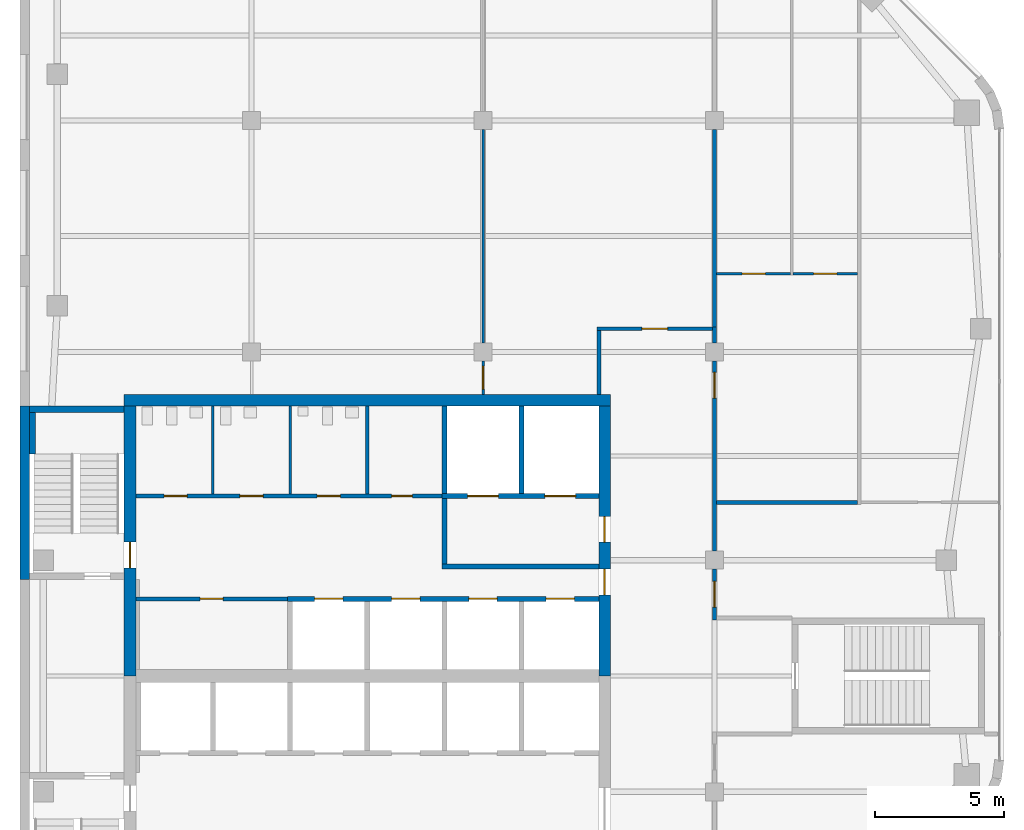
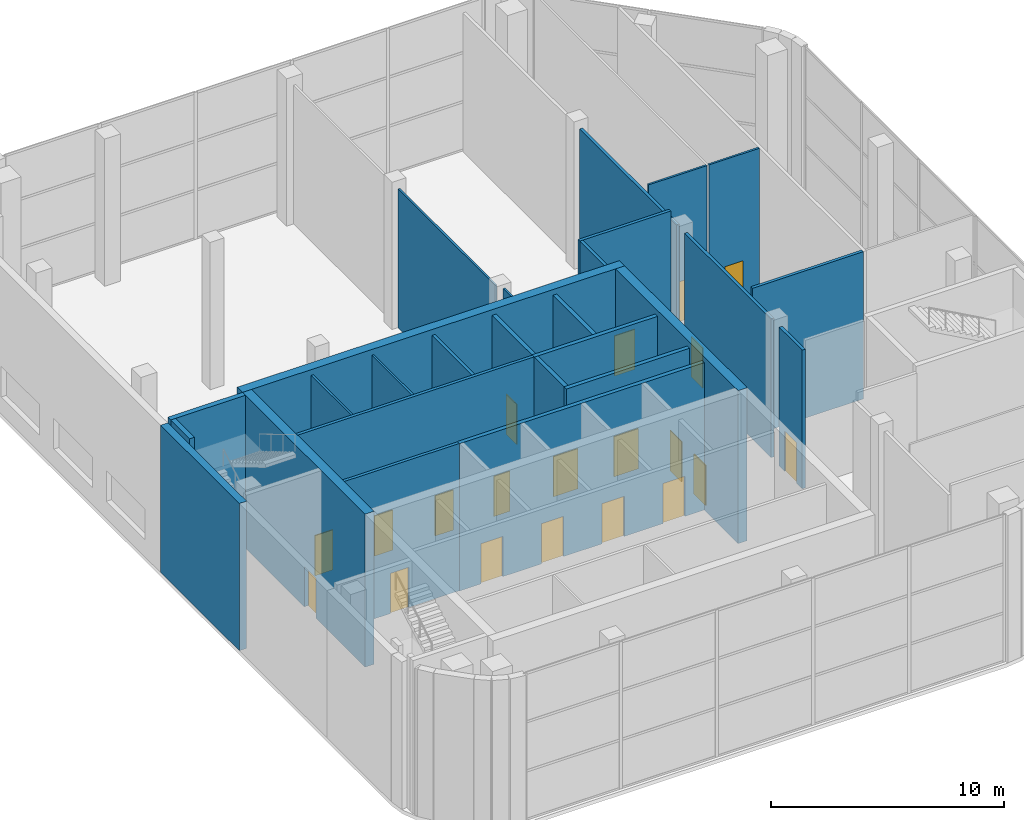
# One storey, part 9 of 12: 28 walls, 20 doors, 20 openings.
"""IFC4 building model written with IfcOpenShell, lengths in metres."""

import ifcopenshell
import ifcopenshell.guid

model = None  # the IFC model being written
_history = None  # IfcOwnerHistory: only IFC2X3 demands one
_inside = {}  # id of a spatial element -> (the spatial element, [elements in it])
_under = {}  # id of a project, library or spatial element -> (it, [spatial elements below it])
_declared = {}  # id of a project -> (the project, [libraries it declares])
_typed = {}  # id of a type object -> (the type object, [elements of that type])
_made_of = {}  # id of a material, layer set ... -> (it, [elements and type objects made of it])


def new_model(schema):
    """Start an empty IFC model of exactly this schema.

    Asked for "IFC4X3", IfcOpenShell would pick the latest addendum, in which some entities
    have other attributes; the version numbers below select the first issue.
    IFC2X3 requires an IfcOwnerHistory on every rooted entity: one is made here for all.
    """
    global model, _history
    if schema == "IFC4X3":
        model = ifcopenshell.file(schema_version=(4, 3, 0, 0))
    else:
        model = ifcopenshell.file(schema=schema)
    _inside.clear()
    _under.clear()
    _declared.clear()
    _typed.clear()
    _made_of.clear()
    _history = None
    if model.schema == "IFC2X3":
        org = make("IfcOrganization", Name="unknown")
        user = make(
            "IfcPersonAndOrganization",
            ThePerson=make("IfcPerson", FamilyName="unknown"),
            TheOrganization=org,
        )
        app = make(
            "IfcApplication",
            ApplicationDeveloper=org,
            Version="unknown",
            ApplicationFullName="unknown",
            ApplicationIdentifier="unknown",
        )
        _history = make(
            "IfcOwnerHistory",
            OwningUser=user,
            OwningApplication=app,
            ChangeAction="ADDED",
            CreationDate=0,
        )
    return model


def make(cls, **values):
    """One entity of the class cls with the attributes given. An attribute that is None is left unset."""
    return model.create_entity(
        cls, **{name: value for name, value in values.items() if value is not None}
    )


def rooted(cls, **values):
    """An entity with a GlobalId (a new one), such as an element, a storey or a relation."""
    return make(cls, GlobalId=ifcopenshell.guid.new(), OwnerHistory=_history, **values)


def si_unit(unit_type, name, prefix=None):
    """IfcSIUnit, for example si_unit("LENGTHUNIT", "METRE", prefix="MILLI")."""
    return make("IfcSIUnit", UnitType=unit_type, Prefix=prefix, Name=name)


def assignment(units):
    """IfcUnitAssignment: the units of a project."""
    return None if units is None else make("IfcUnitAssignment", Units=units)


def point(xyz):
    """IfcCartesianPoint."""
    return None if xyz is None else make("IfcCartesianPoint", Coordinates=xyz)


def direction(xyz):
    """IfcDirection."""
    return None if xyz is None else make("IfcDirection", DirectionRatios=xyz)


def frame(location, z_axis=None, x_axis=None):
    """IfcAxis2Placement3D, a coordinate frame: its origin and axes. An axis left out is left unset."""
    return make(
        "IfcAxis2Placement3D",
        Location=point(location),
        Axis=direction(z_axis),
        RefDirection=direction(x_axis),
    )


def frame_2d(location, x_axis=None):
    """IfcAxis2Placement2D, a coordinate frame in the plane: its origin and x axis."""
    return make(
        "IfcAxis2Placement2D", Location=point(location), RefDirection=direction(x_axis)
    )


def origin():
    """The frame at (0, 0, 0) with its axes left unset."""
    return frame((0.0, 0.0, 0.0))


def place(relative_to, where):
    """IfcLocalPlacement: puts the frame where relative to a parent placement (None: the world)."""
    return make(
        "IfcLocalPlacement", PlacementRelTo=relative_to, RelativePlacement=where
    )


def context(
    kind, dimensions, precision=None, world=None, true_north=None, identifier=None
):
    """IfcGeometricRepresentationContext, for example the 3D "Model" context."""
    return make(
        "IfcGeometricRepresentationContext",
        ContextIdentifier=identifier,
        ContextType=kind,
        CoordinateSpaceDimension=dimensions,
        Precision=precision,
        WorldCoordinateSystem=world,
        TrueNorth=true_north,
    )


def subcontext(parent, identifier, kind, view, scale=None):
    """IfcGeometricRepresentationSubContext, for example "Body" below "Model"."""
    return make(
        "IfcGeometricRepresentationSubContext",
        ContextIdentifier=identifier,
        ContextType=kind,
        ParentContext=parent,
        TargetScale=scale,
        TargetView=view,
    )


def project(units=None, contexts=None):
    """IfcProject with its units and contexts."""
    return rooted(
        "IfcProject",
        Name="project",
        RepresentationContexts=contexts,
        UnitsInContext=assignment(units),
    )


def spatial(cls, under=None, at=None, **own):
    """A site, building, storey or space (cls), placed at a placement, below another one or the project."""
    s = rooted(cls, ObjectPlacement=at, **own)
    if under is not None:
        _under.setdefault(under.id(), (under, []))[1].append(s)
    return s


def profile(cls, at=None, kind="AREA", **sizes):
    """A parametric profile (cls). Its sizes go by their IFC names, for example OverallWidth=200.0."""
    return make(cls, ProfileType=kind, Position=at, **sizes)


def rectangle(**sizes):
    """IfcRectangleProfileDef."""
    return profile("IfcRectangleProfileDef", **sizes)


def extrude(swept, where, along, depth):
    """IfcExtrudedAreaSolid: the profile swept, set in the frame where, extruded along a direction by depth."""
    return make(
        "IfcExtrudedAreaSolid",
        SweptArea=swept,
        Position=where,
        ExtrudedDirection=direction(along),
        Depth=depth,
    )


def shape(context_of_items, identifier, shape_type, items):
    """IfcShapeRepresentation: the items that make up one representation, for example the "Body"."""
    return make(
        "IfcShapeRepresentation",
        ContextOfItems=context_of_items,
        RepresentationIdentifier=identifier,
        RepresentationType=shape_type,
        Items=items,
    )


def material(Name=None, Category=None):
    """IfcMaterial."""
    return make("IfcMaterial", Name=Name, Category=Category)


def layer(
    of_material, thickness, ventilated=None, Name=None, Category=None, Priority=None
):
    """IfcMaterialLayer: one layer of a wall or slab, of a material (None: an air gap)."""
    return make(
        "IfcMaterialLayer",
        Material=of_material,
        LayerThickness=thickness,
        IsVentilated=ventilated,
        Name=Name,
        Category=Category,
        Priority=Priority,
    )


def layer_set(layers, Name=None):
    """IfcMaterialLayerSet."""
    return make("IfcMaterialLayerSet", MaterialLayers=layers, LayerSetName=Name)


def made_of(thing, what):
    """Note that an element or type object is made of a material, layer set ...; save() writes the relation."""
    if what is not None:
        _made_of.setdefault(what.id(), (what, []))[1].append(thing)
    return thing


def type_object(cls, material=None, **own):
    """A type object (cls), such as IfcWallType, which elements share."""
    return made_of(rooted(cls, **own), material)


def element(
    cls,
    number,
    at=None,
    inside=None,
    cuts=None,
    type_object=None,
    material=None,
    context=None,
    identifier="Body",
    shape_type=None,
    held_by="IfcProductDefinitionShape",
    body=None,
    shapes=None,
    **own,
):
    """One element of the class cls, such as IfcWall. Its Tag is "e" and its number.

    at: its placement. inside: the storey or other place that contains it. cuts: it is an
    opening in that element (IfcRelVoidsElement). A single representation is given by context,
    identifier, shape_type and body (its items); several are given by shapes. held_by: the class
    of the entity that holds the representations. save() writes the other relations.
    """
    e = rooted(cls, Tag="e%d" % number, ObjectPlacement=at, **own)
    if body is not None:
        shapes = [shape(context, identifier, shape_type, body)]
    if shapes is not None:
        e.Representation = make(held_by, Representations=shapes)
    if inside is not None:
        _inside.setdefault(inside.id(), (inside, []))[1].append(e)
    if cuts is not None:
        rooted(
            "IfcRelVoidsElement", RelatingBuildingElement=cuts, RelatedOpeningElement=e
        )
    if type_object is not None:
        _typed.setdefault(type_object.id(), (type_object, []))[1].append(e)
    return made_of(e, material)


def fill(opening, filler):
    """IfcRelFillsElement: the door or window that sits in an opening."""
    return rooted(
        "IfcRelFillsElement",
        RelatingOpeningElement=opening,
        RelatedBuildingElement=filler,
    )


def aggregate(whole, parts):
    """IfcRelAggregates: a whole, such as a stair, and the parts it consists of."""
    return rooted("IfcRelAggregates", RelatingObject=whole, RelatedObjects=parts)


def save(model, path):
    """Write the relations noted so far, then the file.

    IfcRelAggregates (storeys below a building ...), IfcRelContainedInSpatialStructure (elements
    in a storey), IfcRelDefinesByType, IfcRelAssociatesMaterial and IfcRelDeclares: one each for
    every whole, place, type object, material and project.
    """
    for whole, parts in _under.values():
        aggregate(whole, parts)
    for where, things in _inside.values():
        rooted(
            "IfcRelContainedInSpatialStructure",
            RelatedElements=things,
            RelatingStructure=where,
        )
    for kind, things in _typed.values():
        rooted("IfcRelDefinesByType", RelatedObjects=things, RelatingType=kind)
    for what, things in _made_of.values():
        rooted("IfcRelAssociatesMaterial", RelatedObjects=things, RelatingMaterial=what)
    for by, libraries in _declared.values():
        rooted("IfcRelDeclares", RelatingContext=by, RelatedDefinitions=libraries)
    model.write(path)


model = new_model("IFC4")

# Units and contexts
model_context = context("Model", 3, precision=1e-05, world=origin(), true_north=direction((0.0, 1.0)))
body_context = subcontext(model_context, "Body", "Model", "MODEL_VIEW")
ifc_project = project(units=[si_unit("LENGTHUNIT", "METRE"), si_unit("AREAUNIT", "SQUARE_METRE"), si_unit("VOLUMEUNIT", "CUBIC_METRE"), si_unit("PLANEANGLEUNIT", "RADIAN"), si_unit("MASSUNIT", "GRAM", prefix="KILO")], contexts=[model_context])

# Site, building, storey
site_placement = place(None, origin())
site = spatial("IfcSite", under=ifc_project, at=site_placement, CompositionType="ELEMENT")
building_placement = place(site_placement, origin())
building = spatial("IfcBuilding", under=site, at=building_placement, Name="Cinnabar Reach Civic Tower", CompositionType="ELEMENT")
storey_placement = place(building_placement, frame((0.0, 0.0, 283.0)))
storey = spatial("IfcBuildingStorey", under=building, at=storey_placement, Name="L68", CompositionType="ELEMENT", Elevation=283.0)

# Walls
ifc_material_1 = material(Name="Facing brick with insulated backing", Category="masonry")
ifc_layer_1 = layer(ifc_material_1, 0.36)
ifc_layer_set_1 = layer_set([ifc_layer_1], Name="Brick pier and spandrel wall")
wall_type_1 = type_object("IfcWallType", Name="Brick pier and spandrel wall", PredefinedType="STANDARD", material=ifc_layer_set_1)
wall_1_placement = place(storey_placement, frame((0.18, 42.0, 0.0), z_axis=(0.0, 0.0, 1.0), x_axis=(0.0, -1.0, 0.0)))
element("IfcWall", 1, at=wall_1_placement, inside=storey, type_object=wall_type_1, Name="Brick facade wall", PredefinedType="STANDARD", context=body_context, shape_type="SweptSolid", body=[
    extrude(rectangle(XDim=6.75, YDim=0.36, at=frame_2d((3.375, 0.0))), origin(), (0.0, 0.0, 1.0), 7.7),
])
ifc_material_2 = material(Name="Concrete C60", Category="concrete")
ifc_layer_2 = layer(ifc_material_2, 0.45)
ifc_layer_set_2 = layer_set([ifc_layer_2], Name="Core wall 450 EI 180")
wall_type_2 = type_object("IfcWallType", Name="Core wall 450 EI 180", PredefinedType="SOLIDWALL", material=ifc_layer_set_2)
wall_2_placement = place(storey_placement, frame((22.95, 42.225, 0.0), z_axis=(0.0, 0.0, 1.0), x_axis=(-1.0, 0.0, 0.0)))
element("IfcWall", 2, at=wall_2_placement, inside=storey, type_object=wall_type_2, Name="Core wall T1 L68 N", PredefinedType="SOLIDWALL", context=body_context, shape_type="SweptSolid", body=[
    extrude(rectangle(XDim=18.9, YDim=0.45, at=frame_2d((9.45, 0.0))), origin(), (0.0, 0.0, 1.0), 8.0),
])

# Wall, openings, doors
wall_3_placement = place(storey_placement, frame((22.725, 31.5, 0.0), z_axis=(0.0, 0.0, 1.0), x_axis=(0.0, 1.0, 0.0)))
wall_3 = element("IfcWall", 3, at=wall_3_placement, inside=storey, type_object=wall_type_2, Name="Core wall T1 L68 E2", PredefinedType="SOLIDWALL", context=body_context, shape_type="SweptSolid", body=[
    extrude(rectangle(XDim=10.5, YDim=0.45, at=frame_2d((5.25, 0.0))), origin(), (0.0, 0.0, 1.0), 8.0),
])
opening_1_placement = place(wall_3_placement, frame((3.15, 0.0, 0.0)))
opening_1 = element("IfcOpeningElement", 4, at=opening_1_placement, cuts=wall_3, Name="Opening D5711", PredefinedType="OPENING", context=body_context, shape_type="SweptSolid", body=[
    extrude(rectangle(XDim=1.0, YDim=2.1, at=frame_2d((0.5, 1.05))), frame((0.0, 0.235, 0.0), z_axis=(0.0, -1.0, 0.0), x_axis=(1.0, 0.0, 0.0)), (0.0, 0.0, 1.0), 0.47),
])
opening_2_placement = place(wall_3_placement, frame((5.2, 0.0, 0.0)))
opening_2 = element("IfcOpeningElement", 5, at=opening_2_placement, cuts=wall_3, Name="Opening D5712", PredefinedType="OPENING", context=body_context, shape_type="SweptSolid", body=[
    extrude(rectangle(XDim=1.0, YDim=2.1, at=frame_2d((0.5, 1.05))), frame((0.0, 0.235, 0.0), z_axis=(0.0, -1.0, 0.0), x_axis=(1.0, 0.0, 0.0)), (0.0, 0.0, 1.0), 0.47),
])
ifc_material_3 = material(Name="Timber door leaf in steel frame", Category="steel")
door_type_1 = type_object("IfcDoorType", Name="Firefighting lobby door 1000 x 2100 T1", OperationType="SINGLE_SWING_LEFT", PredefinedType="DOOR", material=ifc_material_3)
door_1_placement = place(opening_2_placement, origin())
door_1 = element("IfcDoor", 6, at=door_1_placement, inside=storey, type_object=door_type_1, Name="Door D5712", OperationType="SINGLE_SWING_RIGHT", OverallHeight=2.1, OverallWidth=1.0, PredefinedType="DOOR", context=body_context, shape_type="SweptSolid", body=[
    extrude(rectangle(XDim=1.0, YDim=2.1, at=frame_2d((0.5, 1.05))), frame((0.0, 0.025, 0.0), z_axis=(0.0, -1.0, 0.0), x_axis=(1.0, 0.0, 0.0)), (0.0, 0.0, 1.0), 0.05),
])
fill(opening_2, door_1)
door_type_2 = type_object("IfcDoorType", Name="Single swing door 1000 x 2100 T1", OperationType="SINGLE_SWING_LEFT", PredefinedType="DOOR", material=ifc_material_3)
door_2_placement = place(opening_1_placement, origin())
door_2 = element("IfcDoor", 7, at=door_2_placement, inside=storey, type_object=door_type_2, Name="Door D5711", OperationType="SINGLE_SWING_RIGHT", OverallHeight=2.1, OverallWidth=1.0, PredefinedType="DOOR", context=body_context, shape_type="SweptSolid", body=[
    extrude(rectangle(XDim=1.0, YDim=2.1, at=frame_2d((0.5, 1.05))), frame((0.0, 0.025, 0.0), z_axis=(0.0, -1.0, 0.0), x_axis=(1.0, 0.0, 0.0)), (0.0, 0.0, 1.0), 0.05),
])
fill(opening_1, door_2)

# Wall, opening, door
wall_4_placement = place(storey_placement, frame((4.275, 42.0, 0.0), z_axis=(0.0, 0.0, 1.0), x_axis=(0.0, -1.0, 0.0)))
wall_4 = element("IfcWall", 8, at=wall_4_placement, inside=storey, type_object=wall_type_2, Name="Core wall T1 L68 W", PredefinedType="SOLIDWALL", context=body_context, shape_type="SweptSolid", body=[
    extrude(rectangle(XDim=10.5, YDim=0.45, at=frame_2d((5.25, 0.0))), origin(), (0.0, 0.0, 1.0), 8.0),
])
opening_3_placement = place(wall_4_placement, frame((5.3, 0.0, 0.0)))
opening_3 = element("IfcOpeningElement", 9, at=opening_3_placement, cuts=wall_4, Name="Opening D5696", PredefinedType="OPENING", context=body_context, shape_type="SweptSolid", body=[
    extrude(rectangle(XDim=1.0, YDim=2.1, at=frame_2d((0.5, 1.05))), frame((0.0, 0.235, 0.0), z_axis=(0.0, -1.0, 0.0), x_axis=(1.0, 0.0, 0.0)), (0.0, 0.0, 1.0), 0.47),
])
door_type_3 = type_object("IfcDoorType", Name="Stair door 1000 x 2100 T1", OperationType="SINGLE_SWING_LEFT", PredefinedType="DOOR", material=ifc_material_3)
door_3_placement = place(opening_3_placement, frame((1.0, 0.0, 0.0), z_axis=(0.0, 0.0, 1.0), x_axis=(-1.0, 0.0, 0.0)))
door_3 = element("IfcDoor", 10, at=door_3_placement, inside=storey, type_object=door_type_3, Name="Door D5696", OperationType="SINGLE_SWING_LEFT", OverallHeight=2.1, OverallWidth=1.0, PredefinedType="DOOR", context=body_context, shape_type="SweptSolid", body=[
    extrude(rectangle(XDim=1.0, YDim=2.1, at=frame_2d((0.5, 1.05))), frame((0.0, 0.025, 0.0), z_axis=(0.0, -1.0, 0.0), x_axis=(1.0, 0.0, 0.0)), (0.0, 0.0, 1.0), 0.05),
])
fill(opening_3, door_3)

# Wall, openings, doors
ifc_material_4 = material(Name="Gypsum board on steel studs, double layer", Category="steel")
ifc_layer_3 = layer(ifc_material_4, 0.15)
ifc_layer_set_3 = layer_set([ifc_layer_3], Name="Corridor wall 150 T1")
wall_type_3 = type_object("IfcWallType", Name="Corridor wall 150 T1", PredefinedType="PARTITIONING", material=ifc_layer_set_3)
wall_5_placement = place(storey_placement, frame((4.5, 38.5, 0.0), z_axis=(0.0, 0.0, 1.0), x_axis=(1.0, 0.0, 0.0)))
wall_5 = element("IfcWall", 11, at=wall_5_placement, inside=storey, type_object=wall_type_3, Name="Corridor wall 19", PredefinedType="PARTITIONING", context=body_context, shape_type="SweptSolid", body=[
    extrude(rectangle(XDim=11.9, YDim=0.15, at=frame_2d((5.95, 0.0))), origin(), (0.0, 0.0, 1.0), 7.7),
])
opening_4_placement = place(wall_5_placement, frame((1.1, 0.0, 0.0)))
opening_4 = element("IfcOpeningElement", 12, at=opening_4_placement, cuts=wall_5, Name="Opening D5718", PredefinedType="OPENING", context=body_context, shape_type="SweptSolid", body=[
    extrude(rectangle(XDim=0.9, YDim=2.1, at=frame_2d((0.45, 1.05))), frame((0.0, 0.085, 0.0), z_axis=(0.0, -1.0, 0.0), x_axis=(1.0, 0.0, 0.0)), (0.0, 0.0, 1.0), 0.17),
])
opening_5_placement = place(wall_5_placement, frame((4.05, 0.0, 0.0)))
opening_5 = element("IfcOpeningElement", 13, at=opening_5_placement, cuts=wall_5, Name="Opening D5719", PredefinedType="OPENING", context=body_context, shape_type="SweptSolid", body=[
    extrude(rectangle(XDim=0.9, YDim=2.1, at=frame_2d((0.45, 1.05))), frame((0.0, 0.085, 0.0), z_axis=(0.0, -1.0, 0.0), x_axis=(1.0, 0.0, 0.0)), (0.0, 0.0, 1.0), 0.17),
])
opening_6_placement = place(wall_5_placement, frame((7.05, 0.0, 0.0)))
opening_6 = element("IfcOpeningElement", 14, at=opening_6_placement, cuts=wall_5, Name="Opening D5720", PredefinedType="OPENING", context=body_context, shape_type="SweptSolid", body=[
    extrude(rectangle(XDim=0.9, YDim=2.1, at=frame_2d((0.45, 1.05))), frame((0.0, 0.085, 0.0), z_axis=(0.0, -1.0, 0.0), x_axis=(1.0, 0.0, 0.0)), (0.0, 0.0, 1.0), 0.17),
])
opening_7_placement = place(wall_5_placement, frame((9.95, 0.0, 0.0)))
opening_7 = element("IfcOpeningElement", 15, at=opening_7_placement, cuts=wall_5, Name="Opening D5721", PredefinedType="OPENING", context=body_context, shape_type="SweptSolid", body=[
    extrude(rectangle(XDim=0.8, YDim=2.1, at=frame_2d((0.4, 1.05))), frame((0.0, 0.085, 0.0), z_axis=(0.0, -1.0, 0.0), x_axis=(1.0, 0.0, 0.0)), (0.0, 0.0, 1.0), 0.17),
])
door_type_4 = type_object("IfcDoorType", Name="Riser access door 800 x 2100 T1", OperationType="SINGLE_SWING_LEFT", PredefinedType="DOOR", material=ifc_material_3)
door_4_placement = place(opening_7_placement, origin())
door_4 = element("IfcDoor", 16, at=door_4_placement, inside=storey, type_object=door_type_4, Name="Door D5721", OperationType="SINGLE_SWING_RIGHT", OverallHeight=2.1, OverallWidth=0.8, PredefinedType="DOOR", context=body_context, shape_type="SweptSolid", body=[
    extrude(rectangle(XDim=0.8, YDim=2.1, at=frame_2d((0.4, 1.05))), frame((0.0, 0.025, 0.0), z_axis=(0.0, -1.0, 0.0), x_axis=(1.0, 0.0, 0.0)), (0.0, 0.0, 1.0), 0.05),
])
fill(opening_7, door_4)
door_type_5 = type_object("IfcDoorType", Name="Single swing door 900 x 2100 corridor T1", OperationType="SINGLE_SWING_LEFT", PredefinedType="DOOR", material=ifc_material_3)
door_5_placement = place(opening_4_placement, origin())
door_5 = element("IfcDoor", 17, at=door_5_placement, inside=storey, type_object=door_type_5, Name="Door D5718", OperationType="SINGLE_SWING_RIGHT", OverallHeight=2.1, OverallWidth=0.9, PredefinedType="DOOR", context=body_context, shape_type="SweptSolid", body=[
    extrude(rectangle(XDim=0.9, YDim=2.1, at=frame_2d((0.45, 1.05))), frame((0.0, 0.025, 0.0), z_axis=(0.0, -1.0, 0.0), x_axis=(1.0, 0.0, 0.0)), (0.0, 0.0, 1.0), 0.05),
])
fill(opening_4, door_5)
door_6_placement = place(opening_5_placement, origin())
door_6 = element("IfcDoor", 18, at=door_6_placement, inside=storey, type_object=door_type_5, Name="Door D5719", OperationType="SINGLE_SWING_RIGHT", OverallHeight=2.1, OverallWidth=0.9, PredefinedType="DOOR", context=body_context, shape_type="SweptSolid", body=[
    extrude(rectangle(XDim=0.9, YDim=2.1, at=frame_2d((0.45, 1.05))), frame((0.0, 0.025, 0.0), z_axis=(0.0, -1.0, 0.0), x_axis=(1.0, 0.0, 0.0)), (0.0, 0.0, 1.0), 0.05),
])
fill(opening_5, door_6)
door_7_placement = place(opening_6_placement, origin())
door_7 = element("IfcDoor", 19, at=door_7_placement, inside=storey, type_object=door_type_5, Name="Door D5720", OperationType="SINGLE_SWING_LEFT", OverallHeight=2.1, OverallWidth=0.9, PredefinedType="DOOR", context=body_context, shape_type="SweptSolid", body=[
    extrude(rectangle(XDim=0.9, YDim=2.1, at=frame_2d((0.45, 1.05))), frame((0.0, 0.025, 0.0), z_axis=(0.0, -1.0, 0.0), x_axis=(1.0, 0.0, 0.0)), (0.0, 0.0, 1.0), 0.05),
])
fill(opening_6, door_7)

# Wall, opening, door
wall_6_placement = place(storey_placement, frame((27.0, 33.675, 0.0), z_axis=(0.0, 0.0, 1.0), x_axis=(0.0, 1.0, 0.0)))
wall_6 = element("IfcWall", 20, at=wall_6_placement, inside=storey, type_object=wall_type_3, Name="Corridor wall 20", PredefinedType="PARTITIONING", context=body_context, shape_type="SweptSolid", body=[
    extrude(rectangle(XDim=1.975, YDim=0.15, at=frame_2d((0.9875, 0.0))), origin(), (0.0, 0.0, 1.0), 7.25),
])
opening_8_placement = place(wall_6_placement, frame((0.5, 0.0, 0.0)))
opening_8 = element("IfcOpeningElement", 21, at=opening_8_placement, cuts=wall_6, Name="Opening D5722", PredefinedType="OPENING", context=body_context, shape_type="SweptSolid", body=[
    extrude(rectangle(XDim=1.0, YDim=2.1, at=frame_2d((0.5, 1.05))), frame((0.0, 0.085, 0.0), z_axis=(0.0, -1.0, 0.0), x_axis=(1.0, 0.0, 0.0)), (0.0, 0.0, 1.0), 0.17),
])
door_type_6 = type_object("IfcDoorType", Name="Tenancy entrance door 1000 x 2100 T1", OperationType="SINGLE_SWING_LEFT", PredefinedType="DOOR", material=ifc_material_3)
door_8_placement = place(opening_8_placement, frame((1.0, 0.0, 0.0), z_axis=(0.0, 0.0, 1.0), x_axis=(-1.0, 0.0, 0.0)))
door_8 = element("IfcDoor", 22, at=door_8_placement, inside=storey, type_object=door_type_6, Name="Door D5722", OperationType="SINGLE_SWING_RIGHT", OverallHeight=2.1, OverallWidth=1.0, PredefinedType="DOOR", context=body_context, shape_type="SweptSolid", body=[
    extrude(rectangle(XDim=1.0, YDim=2.1, at=frame_2d((0.5, 1.05))), frame((0.0, 0.025, 0.0), z_axis=(0.0, -1.0, 0.0), x_axis=(1.0, 0.0, 0.0)), (0.0, 0.0, 1.0), 0.05),
])
fill(opening_8, door_8)

wall_7_placement = place(storey_placement, frame((27.0, 36.35, 0.0), z_axis=(0.0, 0.0, 1.0), x_axis=(0.0, 1.0, 0.0)))
wall_7 = element("IfcWall", 23, at=wall_7_placement, inside=storey, type_object=wall_type_3, Name="Corridor wall 21", PredefinedType="PARTITIONING", context=body_context, shape_type="SweptSolid", body=[
    extrude(rectangle(XDim=7.4, YDim=0.15, at=frame_2d((3.7, 0.0))), origin(), (0.0, 0.0, 1.0), 7.25),
])
opening_9_placement = place(wall_7_placement, frame((5.95, 0.0, 0.0)))
opening_9 = element("IfcOpeningElement", 24, at=opening_9_placement, cuts=wall_7, Name="Opening D5723", PredefinedType="OPENING", context=body_context, shape_type="SweptSolid", body=[
    extrude(rectangle(XDim=1.0, YDim=2.1, at=frame_2d((0.5, 1.05))), frame((0.0, 0.085, 0.0), z_axis=(0.0, -1.0, 0.0), x_axis=(1.0, 0.0, 0.0)), (0.0, 0.0, 1.0), 0.17),
])
door_9_placement = place(opening_9_placement, frame((1.0, 0.0, 0.0), z_axis=(0.0, 0.0, 1.0), x_axis=(-1.0, 0.0, 0.0)))
door_9 = element("IfcDoor", 25, at=door_9_placement, inside=storey, type_object=door_type_6, Name="Door D5723", OperationType="SINGLE_SWING_LEFT", OverallHeight=2.1, OverallWidth=1.0, PredefinedType="DOOR", context=body_context, shape_type="SweptSolid", body=[
    extrude(rectangle(XDim=1.0, YDim=2.1, at=frame_2d((0.5, 1.05))), frame((0.0, 0.025, 0.0), z_axis=(0.0, -1.0, 0.0), x_axis=(1.0, 0.0, 0.0)), (0.0, 0.0, 1.0), 0.05),
])
fill(opening_9, door_9)

# Wall
wall_8_placement = place(storey_placement, frame((27.0, 44.45, 0.0), z_axis=(0.0, 0.0, 1.0), x_axis=(0.0, 1.0, 0.0)))
element("IfcWall", 26, at=wall_8_placement, inside=storey, type_object=wall_type_3, Name="Corridor wall 22", PredefinedType="PARTITIONING", context=body_context, shape_type="SweptSolid", body=[
    extrude(rectangle(XDim=0.625, YDim=0.15, at=frame_2d((0.3125, 0.0))), origin(), (0.0, 0.0, 1.0), 7.25),
])

# Wall, opening, door
wall_9_placement = place(storey_placement, frame((4.5, 34.5, 0.0), z_axis=(0.0, 0.0, 1.0), x_axis=(1.0, 0.0, 0.0)))
wall_9 = element("IfcWall", 27, at=wall_9_placement, inside=storey, type_object=wall_type_3, Name="Corridor wall 25", PredefinedType="PARTITIONING", context=body_context, shape_type="SweptSolid", body=[
    extrude(rectangle(XDim=5.9, YDim=0.15, at=frame_2d((2.95, 0.0))), origin(), (0.0, 0.0, 1.0), 7.7),
])
opening_10_placement = place(wall_9_placement, frame((2.5, 0.0, 0.0)))
opening_10 = element("IfcOpeningElement", 28, at=opening_10_placement, cuts=wall_9, Name="Opening D5717", PredefinedType="OPENING", context=body_context, shape_type="SweptSolid", body=[
    extrude(rectangle(XDim=0.9, YDim=2.1, at=frame_2d((0.45, 1.05))), frame((0.0, 0.085, 0.0), z_axis=(0.0, -1.0, 0.0), x_axis=(1.0, 0.0, 0.0)), (0.0, 0.0, 1.0), 0.17),
])
door_10_placement = place(opening_10_placement, frame((0.9, 0.0, 0.0), z_axis=(0.0, 0.0, 1.0), x_axis=(-1.0, 0.0, 0.0)))
door_10 = element("IfcDoor", 29, at=door_10_placement, inside=storey, type_object=door_type_5, Name="Door D5717", OperationType="SINGLE_SWING_RIGHT", OverallHeight=2.1, OverallWidth=0.9, PredefinedType="DOOR", context=body_context, shape_type="SweptSolid", body=[
    extrude(rectangle(XDim=0.9, YDim=2.1, at=frame_2d((0.45, 1.05))), frame((0.0, 0.025, 0.0), z_axis=(0.0, -1.0, 0.0), x_axis=(1.0, 0.0, 0.0)), (0.0, 0.0, 1.0), 0.05),
])
fill(opening_10, door_10)

wall_10_placement = place(storey_placement, frame((22.425, 45.0, 0.0), z_axis=(0.0, 0.0, 1.0), x_axis=(1.0, 0.0, 0.0)))
wall_10 = element("IfcWall", 30, at=wall_10_placement, inside=storey, type_object=wall_type_3, Name="Corridor wall 27", PredefinedType="PARTITIONING", context=body_context, shape_type="SweptSolid", body=[
    extrude(rectangle(XDim=4.5, YDim=0.15, at=frame_2d((2.25, 0.0))), origin(), (0.0, 0.0, 1.0), 7.7),
])
opening_11_placement = place(wall_10_placement, frame((1.75, 0.0, 0.0)))
opening_11 = element("IfcOpeningElement", 31, at=opening_11_placement, cuts=wall_10, Name="Opening D5729", PredefinedType="OPENING", context=body_context, shape_type="SweptSolid", body=[
    extrude(rectangle(XDim=1.0, YDim=2.1, at=frame_2d((0.5, 1.05))), frame((0.0, 0.085, 0.0), z_axis=(0.0, -1.0, 0.0), x_axis=(1.0, 0.0, 0.0)), (0.0, 0.0, 1.0), 0.17),
])
door_11_placement = place(opening_11_placement, origin())
door_11 = element("IfcDoor", 32, at=door_11_placement, inside=storey, type_object=door_type_6, Name="Door D5729", OperationType="SINGLE_SWING_RIGHT", OverallHeight=2.1, OverallWidth=1.0, PredefinedType="DOOR", context=body_context, shape_type="SweptSolid", body=[
    extrude(rectangle(XDim=1.0, YDim=2.1, at=frame_2d((0.5, 1.05))), frame((0.0, 0.025, 0.0), z_axis=(0.0, -1.0, 0.0), x_axis=(1.0, 0.0, 0.0)), (0.0, 0.0, 1.0), 0.05),
])
fill(opening_11, door_11)

# Wall
wall_11_placement = place(storey_placement, frame((22.5, 42.45, 0.0), z_axis=(0.0, 0.0, 1.0), x_axis=(0.0, 1.0, 0.0)))
element("IfcWall", 33, at=wall_11_placement, inside=storey, type_object=wall_type_3, Name="Corridor wall 32", PredefinedType="PARTITIONING", context=body_context, shape_type="SweptSolid", body=[
    extrude(rectangle(XDim=2.475, YDim=0.15, at=frame_2d((1.2375, 0.0))), origin(), (0.0, 0.0, 1.0), 7.7),
])

# Wall, openings, doors
ifc_material_5 = material(Name="Blockwork", Category="masonry")
ifc_layer_4 = layer(ifc_material_5, 0.2)
ifc_layer_set_4 = layer_set([ifc_layer_4], Name="Lift shaft wall 200 T1")
wall_type_4 = type_object("IfcWallType", Name="Lift shaft wall 200 T1", PredefinedType="PARTITIONING", material=ifc_layer_set_4)
wall_12_placement = place(storey_placement, frame((10.4, 34.5, 0.0), z_axis=(0.0, 0.0, 1.0), x_axis=(1.0, 0.0, 0.0)))
wall_12 = element("IfcWall", 34, at=wall_12_placement, inside=storey, type_object=wall_type_4, Name="Lift shaft wall 5", PredefinedType="PARTITIONING", context=body_context, shape_type="SweptSolid", body=[
    extrude(rectangle(XDim=12.1, YDim=0.2, at=frame_2d((6.05, 0.0))), origin(), (0.0, 0.0, 1.0), 7.7),
])
opening_12_placement = place(wall_12_placement, frame((1.05, 0.0, 0.0)))
opening_12 = element("IfcOpeningElement", 35, at=opening_12_placement, cuts=wall_12, Name="Opening D5704", PredefinedType="OPENING", context=body_context, shape_type="SweptSolid", body=[
    extrude(rectangle(XDim=1.1, YDim=2.1, at=frame_2d((0.55, 1.05))), frame((0.0, 0.11, 0.0), z_axis=(0.0, -1.0, 0.0), x_axis=(1.0, 0.0, 0.0)), (0.0, 0.0, 1.0), 0.22),
])
opening_13_placement = place(wall_12_placement, frame((4.05, 0.0, 0.0)))
opening_13 = element("IfcOpeningElement", 36, at=opening_13_placement, cuts=wall_12, Name="Opening D5705", PredefinedType="OPENING", context=body_context, shape_type="SweptSolid", body=[
    extrude(rectangle(XDim=1.1, YDim=2.1, at=frame_2d((0.55, 1.05))), frame((0.0, 0.11, 0.0), z_axis=(0.0, -1.0, 0.0), x_axis=(1.0, 0.0, 0.0)), (0.0, 0.0, 1.0), 0.22),
])
opening_14_placement = place(wall_12_placement, frame((7.05, 0.0, 0.0)))
opening_14 = element("IfcOpeningElement", 37, at=opening_14_placement, cuts=wall_12, Name="Opening D5706", PredefinedType="OPENING", context=body_context, shape_type="SweptSolid", body=[
    extrude(rectangle(XDim=1.1, YDim=2.1, at=frame_2d((0.55, 1.05))), frame((0.0, 0.11, 0.0), z_axis=(0.0, -1.0, 0.0), x_axis=(1.0, 0.0, 0.0)), (0.0, 0.0, 1.0), 0.22),
])
opening_15_placement = place(wall_12_placement, frame((10.05, 0.0, 0.0)))
opening_15 = element("IfcOpeningElement", 38, at=opening_15_placement, cuts=wall_12, Name="Opening D5707", PredefinedType="OPENING", context=body_context, shape_type="SweptSolid", body=[
    extrude(rectangle(XDim=1.1, YDim=2.1, at=frame_2d((0.55, 1.05))), frame((0.0, 0.11, 0.0), z_axis=(0.0, -1.0, 0.0), x_axis=(1.0, 0.0, 0.0)), (0.0, 0.0, 1.0), 0.22),
])
ifc_material_6 = material(Name="Stainless steel sliding door", Category="steel")
door_type_7 = type_object("IfcDoorType", Name="Lift landing door 1100 x 2100 T1", OperationType="SLIDING_TO_LEFT", PredefinedType="DOOR", material=ifc_material_6)
door_12_placement = place(opening_12_placement, origin())
door_12 = element("IfcDoor", 39, at=door_12_placement, inside=storey, type_object=door_type_7, Name="Lift landing door OB1 L68", OperationType="SLIDING_TO_LEFT", OverallHeight=2.1, OverallWidth=1.1, PredefinedType="DOOR", context=body_context, shape_type="SweptSolid", body=[
    extrude(rectangle(XDim=1.1, YDim=2.1, at=frame_2d((0.55, 1.05))), frame((0.0, 0.025, 0.0), z_axis=(0.0, -1.0, 0.0), x_axis=(1.0, 0.0, 0.0)), (0.0, 0.0, 1.0), 0.05),
])
fill(opening_12, door_12)
door_13_placement = place(opening_13_placement, origin())
door_13 = element("IfcDoor", 40, at=door_13_placement, inside=storey, type_object=door_type_7, Name="Lift landing door OB2 L68", OperationType="SLIDING_TO_LEFT", OverallHeight=2.1, OverallWidth=1.1, PredefinedType="DOOR", context=body_context, shape_type="SweptSolid", body=[
    extrude(rectangle(XDim=1.1, YDim=2.1, at=frame_2d((0.55, 1.05))), frame((0.0, 0.025, 0.0), z_axis=(0.0, -1.0, 0.0), x_axis=(1.0, 0.0, 0.0)), (0.0, 0.0, 1.0), 0.05),
])
fill(opening_13, door_13)
door_14_placement = place(opening_14_placement, origin())
door_14 = element("IfcDoor", 41, at=door_14_placement, inside=storey, type_object=door_type_7, Name="Lift landing door SV1 L68", OperationType="SLIDING_TO_LEFT", OverallHeight=2.1, OverallWidth=1.1, PredefinedType="DOOR", context=body_context, shape_type="SweptSolid", body=[
    extrude(rectangle(XDim=1.1, YDim=2.1, at=frame_2d((0.55, 1.05))), frame((0.0, 0.025, 0.0), z_axis=(0.0, -1.0, 0.0), x_axis=(1.0, 0.0, 0.0)), (0.0, 0.0, 1.0), 0.05),
])
fill(opening_14, door_14)
door_15_placement = place(opening_15_placement, origin())
door_15 = element("IfcDoor", 42, at=door_15_placement, inside=storey, type_object=door_type_7, Name="Lift landing door SV2 L68", OperationType="SLIDING_TO_LEFT", OverallHeight=2.1, OverallWidth=1.1, PredefinedType="DOOR", context=body_context, shape_type="SweptSolid", body=[
    extrude(rectangle(XDim=1.1, YDim=2.1, at=frame_2d((0.55, 1.05))), frame((0.0, 0.025, 0.0), z_axis=(0.0, -1.0, 0.0), x_axis=(1.0, 0.0, 0.0)), (0.0, 0.0, 1.0), 0.05),
])
fill(opening_15, door_15)

# Walls
for number, where, z_axis, x_axis, name in (
    (43, (16.5, 38.6, 0.0), (0.0, 0.0, 1.0), (0.0, 1.0, 0.0), "Lift shaft wall 14"),
    (44, (19.5, 38.6, 0.0), (0.0, 0.0, 1.0), (0.0, 1.0, 0.0), "Lift shaft wall 15"),
):
    element("IfcWall", number, at=place(storey_placement, frame(where, z_axis=z_axis, x_axis=x_axis)), inside=storey, type_object=wall_type_4, Name=name, PredefinedType="PARTITIONING", context=body_context, shape_type="SweptSolid", body=[
        extrude(rectangle(XDim=3.4, YDim=0.2, at=frame_2d((1.7, 0.0))), origin(), (0.0, 0.0, 1.0), 7.7),
    ])

# Wall, opening, door
ifc_material_7 = material(Name="Gypsum board on steel studs", Category="steel")
ifc_layer_5 = layer(ifc_material_7, 0.1)
ifc_layer_set_5 = layer_set([ifc_layer_5], Name="Partition wall 100 T1")
wall_type_5 = type_object("IfcWallType", Name="Partition wall 100 T1", PredefinedType="PARTITIONING", material=ifc_layer_set_5)
wall_13_placement = place(storey_placement, frame((18.0, 42.45, 0.0), z_axis=(0.0, 0.0, 1.0), x_axis=(0.0, 1.0, 0.0)))
wall_13 = element("IfcWall", 45, at=wall_13_placement, inside=storey, type_object=wall_type_5, Name="Partition wall 40", PredefinedType="PARTITIONING", context=body_context, shape_type="SweptSolid", body=[
    extrude(rectangle(XDim=1.3, YDim=0.1, at=frame_2d((0.65, 0.0))), origin(), (0.0, 0.0, 1.0), 7.502),
])
opening_16_placement = place(wall_13_placement, frame((0.2, 0.0, 0.0)))
opening_16 = element("IfcOpeningElement", 46, at=opening_16_placement, cuts=wall_13, Name="Opening D5730", PredefinedType="OPENING", context=body_context, shape_type="SweptSolid", body=[
    extrude(rectangle(XDim=0.9, YDim=2.1, at=frame_2d((0.45, 1.05))), frame((0.0, 0.06, 0.0), z_axis=(0.0, -1.0, 0.0), x_axis=(1.0, 0.0, 0.0)), (0.0, 0.0, 1.0), 0.12),
])
door_type_8 = type_object("IfcDoorType", Name="Single swing door 900 x 2100 T1", OperationType="SINGLE_SWING_LEFT", PredefinedType="DOOR", material=ifc_material_3)
door_16_placement = place(opening_16_placement, frame((0.9, 0.0, 0.0), z_axis=(0.0, 0.0, 1.0), x_axis=(-1.0, 0.0, 0.0)))
door_16 = element("IfcDoor", 47, at=door_16_placement, inside=storey, type_object=door_type_8, Name="Door D5730", OperationType="SINGLE_SWING_LEFT", OverallHeight=2.1, OverallWidth=0.9, PredefinedType="DOOR", context=body_context, shape_type="SweptSolid", body=[
    extrude(rectangle(XDim=0.9, YDim=2.1, at=frame_2d((0.45, 1.05))), frame((0.0, 0.025, 0.0), z_axis=(0.0, -1.0, 0.0), x_axis=(1.0, 0.0, 0.0)), (0.0, 0.0, 1.0), 0.05),
])
fill(opening_16, door_16)

# Wall
wall_14_placement = place(storey_placement, frame((18.0, 44.45, 0.0), z_axis=(0.0, 0.0, 1.0), x_axis=(0.0, 1.0, 0.0)))
element("IfcWall", 48, at=wall_14_placement, inside=storey, type_object=wall_type_5, Name="Partition wall 41", PredefinedType="PARTITIONING", context=body_context, shape_type="SweptSolid", body=[
    extrude(rectangle(XDim=8.3, YDim=0.1, at=frame_2d((4.15, 0.0))), origin(), (0.0, 0.0, 1.0), 7.25),
])

# Wall, opening, door
wall_15_placement = place(storey_placement, frame((27.075, 47.1389, 0.0), z_axis=(0.0, 0.0, 1.0), x_axis=(1.0, 0.0, 0.0)))
wall_15 = element("IfcWall", 49, at=wall_15_placement, inside=storey, type_object=wall_type_5, Name="Partition wall 45", PredefinedType="PARTITIONING", context=body_context, shape_type="SweptSolid", body=[
    extrude(rectangle(XDim=2.875, YDim=0.1, at=frame_2d((1.4375, 0.0))), origin(), (0.0, 0.0, 1.0), 7.7),
])
opening_17_placement = place(wall_15_placement, frame((1.0, 0.0, 0.0)))
opening_17 = element("IfcOpeningElement", 50, at=opening_17_placement, cuts=wall_15, Name="Opening D5724", PredefinedType="OPENING", context=body_context, shape_type="SweptSolid", body=[
    extrude(rectangle(XDim=0.9, YDim=2.1, at=frame_2d((0.45, 1.05))), frame((0.0, 0.06, 0.0), z_axis=(0.0, -1.0, 0.0), x_axis=(1.0, 0.0, 0.0)), (0.0, 0.0, 1.0), 0.12),
])
door_17_placement = place(opening_17_placement, origin())
door_17 = element("IfcDoor", 51, at=door_17_placement, inside=storey, type_object=door_type_8, Name="Door D5724", OperationType="SINGLE_SWING_LEFT", OverallHeight=2.1, OverallWidth=0.9, PredefinedType="DOOR", context=body_context, shape_type="SweptSolid", body=[
    extrude(rectangle(XDim=0.9, YDim=2.1, at=frame_2d((0.45, 1.05))), frame((0.0, 0.025, 0.0), z_axis=(0.0, -1.0, 0.0), x_axis=(1.0, 0.0, 0.0)), (0.0, 0.0, 1.0), 0.05),
])
fill(opening_17, door_17)

wall_16_placement = place(storey_placement, frame((30.05, 47.1389, 0.0), z_axis=(0.0, 0.0, 1.0), x_axis=(1.0, 0.0, 0.0)))
wall_16 = element("IfcWall", 52, at=wall_16_placement, inside=storey, type_object=wall_type_5, Name="Partition wall 46", PredefinedType="PARTITIONING", context=body_context, shape_type="SweptSolid", body=[
    extrude(rectangle(XDim=2.5, YDim=0.1, at=frame_2d((1.25, 0.0))), origin(), (0.0, 0.0, 1.0), 7.7),
])
opening_18_placement = place(wall_16_placement, frame((0.8, 0.0, 0.0)))
opening_18 = element("IfcOpeningElement", 53, at=opening_18_placement, cuts=wall_16, Name="Opening D5725", PredefinedType="OPENING", context=body_context, shape_type="SweptSolid", body=[
    extrude(rectangle(XDim=0.9, YDim=2.1, at=frame_2d((0.45, 1.05))), frame((0.0, 0.06, 0.0), z_axis=(0.0, -1.0, 0.0), x_axis=(1.0, 0.0, 0.0)), (0.0, 0.0, 1.0), 0.12),
])
door_18_placement = place(opening_18_placement, origin())
door_18 = element("IfcDoor", 54, at=door_18_placement, inside=storey, type_object=door_type_8, Name="Door D5725", OperationType="SINGLE_SWING_RIGHT", OverallHeight=2.1, OverallWidth=0.9, PredefinedType="DOOR", context=body_context, shape_type="SweptSolid", body=[
    extrude(rectangle(XDim=0.9, YDim=2.1, at=frame_2d((0.45, 1.05))), frame((0.0, 0.025, 0.0), z_axis=(0.0, -1.0, 0.0), x_axis=(1.0, 0.0, 0.0)), (0.0, 0.0, 1.0), 0.05),
])
fill(opening_18, door_18)

# Walls
for number, where, z_axis, x_axis, name in (
    (55, (7.5, 38.575, 0.0), (0.0, 0.0, 1.0), (0.0, 1.0, 0.0), "Partition wall 48"),
    (56, (10.5, 38.575, 0.0), (0.0, 0.0, 1.0), (0.0, 1.0, 0.0), "Partition wall 49"),
):
    element("IfcWall", number, at=place(storey_placement, frame(where, z_axis=z_axis, x_axis=x_axis)), inside=storey, type_object=wall_type_5, Name=name, PredefinedType="PARTITIONING", context=body_context, shape_type="SweptSolid", body=[
        extrude(rectangle(XDim=3.425, YDim=0.1, at=frame_2d((1.7125, 0.0))), origin(), (0.0, 0.0, 1.0), 7.7),
    ])
ifc_material_8 = material(Name="Concrete C40", Category="concrete")
ifc_layer_6 = layer(ifc_material_8, 0.2)
ifc_layer_set_6 = layer_set([ifc_layer_6], Name="Refuge compartment wall 200 T1")
wall_type_6 = type_object("IfcWallType", Name="Refuge compartment wall 200 T1", PredefinedType="PARTITIONING", material=ifc_layer_set_6)
wall_17_placement = place(storey_placement, frame((16.4, 35.75, 0.0), z_axis=(0.0, 0.0, 1.0), x_axis=(1.0, 0.0, 0.0)))
element("IfcWall", 57, at=wall_17_placement, inside=storey, type_object=wall_type_6, Name="Refuge compartment wall 1", PredefinedType="PARTITIONING", context=body_context, shape_type="SweptSolid", body=[
    extrude(rectangle(XDim=6.1, YDim=0.2, at=frame_2d((3.05, 0.0))), origin(), (0.0, 0.0, 1.0), 7.7),
])

# Wall, openings, doors
wall_18_placement = place(storey_placement, frame((16.4, 38.5, 0.0), z_axis=(0.0, 0.0, 1.0), x_axis=(1.0, 0.0, 0.0)))
wall_18 = element("IfcWall", 58, at=wall_18_placement, inside=storey, type_object=wall_type_6, Name="Refuge compartment wall 2", PredefinedType="PARTITIONING", context=body_context, shape_type="SweptSolid", body=[
    extrude(rectangle(XDim=6.1, YDim=0.2, at=frame_2d((3.05, 0.0))), origin(), (0.0, 0.0, 1.0), 7.7),
])
opening_19_placement = place(wall_18_placement, frame((1.0, 0.0, 0.0)))
opening_19 = element("IfcOpeningElement", 59, at=opening_19_placement, cuts=wall_18, Name="Opening D5708", PredefinedType="OPENING", context=body_context, shape_type="SweptSolid", body=[
    extrude(rectangle(XDim=1.2, YDim=2.1, at=frame_2d((0.6, 1.05))), frame((0.0, 0.11, 0.0), z_axis=(0.0, -1.0, 0.0), x_axis=(1.0, 0.0, 0.0)), (0.0, 0.0, 1.0), 0.22),
])
opening_20_placement = place(wall_18_placement, frame((4.0, 0.0, 0.0)))
opening_20 = element("IfcOpeningElement", 60, at=opening_20_placement, cuts=wall_18, Name="Opening D5709", PredefinedType="OPENING", context=body_context, shape_type="SweptSolid", body=[
    extrude(rectangle(XDim=1.2, YDim=2.1, at=frame_2d((0.6, 1.05))), frame((0.0, 0.11, 0.0), z_axis=(0.0, -1.0, 0.0), x_axis=(1.0, 0.0, 0.0)), (0.0, 0.0, 1.0), 0.22),
])
door_type_9 = type_object("IfcDoorType", Name="Firefighting lift landing door 1200 x 2100 T1", OperationType="SLIDING_TO_LEFT", PredefinedType="DOOR", material=ifc_material_6)
door_19_placement = place(opening_19_placement, origin())
door_19 = element("IfcDoor", 61, at=door_19_placement, inside=storey, type_object=door_type_9, Name="Lift landing door FF1 L68", OperationType="SLIDING_TO_LEFT", OverallHeight=2.1, OverallWidth=1.2, PredefinedType="DOOR", context=body_context, shape_type="SweptSolid", body=[
    extrude(rectangle(XDim=1.2, YDim=2.1, at=frame_2d((0.6, 1.05))), frame((0.0, 0.025, 0.0), z_axis=(0.0, -1.0, 0.0), x_axis=(1.0, 0.0, 0.0)), (0.0, 0.0, 1.0), 0.05),
])
fill(opening_19, door_19)
door_20_placement = place(opening_20_placement, origin())
door_20 = element("IfcDoor", 62, at=door_20_placement, inside=storey, type_object=door_type_9, Name="Lift landing door FF2 L68", OperationType="SLIDING_TO_LEFT", OverallHeight=2.1, OverallWidth=1.2, PredefinedType="DOOR", context=body_context, shape_type="SweptSolid", body=[
    extrude(rectangle(XDim=1.2, YDim=2.1, at=frame_2d((0.6, 1.05))), frame((0.0, 0.025, 0.0), z_axis=(0.0, -1.0, 0.0), x_axis=(1.0, 0.0, 0.0)), (0.0, 0.0, 1.0), 0.05),
])
fill(opening_20, door_20)

# Walls
wall_19_placement = place(storey_placement, frame((16.5, 35.85, 0.0), z_axis=(0.0, 0.0, 1.0), x_axis=(0.0, 1.0, 0.0)))
element("IfcWall", 63, at=wall_19_placement, inside=storey, type_object=wall_type_6, Name="Refuge compartment wall 3", PredefinedType="PARTITIONING", context=body_context, shape_type="SweptSolid", body=[
    extrude(rectangle(XDim=2.55, YDim=0.2, at=frame_2d((1.275, 0.0))), origin(), (0.0, 0.0, 1.0), 7.7),
])
ifc_layer_7 = layer(ifc_material_5, 0.15)
ifc_layer_set_7 = layer_set([ifc_layer_7], Name="Riser wall 150 T1")
wall_type_7 = type_object("IfcWallType", Name="Riser wall 150 T1", PredefinedType="PARTITIONING", material=ifc_layer_set_7)
wall_20_placement = place(storey_placement, frame((13.5, 38.575, 0.0), z_axis=(0.0, 0.0, 1.0), x_axis=(0.0, 1.0, 0.0)))
element("IfcWall", 64, at=wall_20_placement, inside=storey, type_object=wall_type_7, Name="Riser wall 34", PredefinedType="PARTITIONING", context=body_context, shape_type="SweptSolid", body=[
    extrude(rectangle(XDim=3.425, YDim=0.15, at=frame_2d((1.7125, 0.0))), origin(), (0.0, 0.0, 1.0), 7.7),
])
ifc_layer_8 = layer(ifc_material_2, 0.25)
ifc_layer_set_8 = layer_set([ifc_layer_8], Name="Stair shaft wall 250 EI 120")
wall_type_8 = type_object("IfcWallType", Name="Stair shaft wall 250 EI 120", PredefinedType="SOLIDWALL", material=ifc_layer_set_8)
wall_21_placement = place(storey_placement, frame((4.05, 41.875, 0.0), z_axis=(0.0, 0.0, 1.0), x_axis=(-1.0, 0.0, 0.0)))
element("IfcWall", 65, at=wall_21_placement, inside=storey, type_object=wall_type_8, Name="Stair shaft wall T1-S2 L68", PredefinedType="SOLIDWALL", context=body_context, shape_type="SweptSolid", body=[
    extrude(rectangle(XDim=3.69, YDim=0.25, at=frame_2d((1.845, 0.0))), origin(), (0.0, 0.0, 1.0), 8.0),
])
ifc_material_9 = material(Name="Concrete C40/50", Category="concrete")
ifc_layer_9 = layer(ifc_material_9, 0.24)
ifc_layer_set_9 = layer_set([ifc_layer_9], Name="T1 landing bearer wall 240")
wall_type_9 = type_object("IfcWallType", Name="T1 landing bearer wall 240", PredefinedType="STANDARD", material=ifc_layer_set_9)
wall_22_placement = place(storey_placement, frame((0.48, 40.13, 0.0), z_axis=(0.0, 0.0, 1.0), x_axis=(0.0, 1.0, 0.0)))
element("IfcWall", 66, at=wall_22_placement, inside=storey, type_object=wall_type_9, Name="T1-S2 landing bearer wall", PredefinedType="STANDARD", context=body_context, shape_type="SweptSolid", body=[
    extrude(rectangle(XDim=1.62, YDim=0.24, at=frame_2d((0.81, 0.0))), origin(), (0.0, 0.0, 1.0), 8.0),
])
ifc_layer_10 = layer(ifc_material_4, 0.15)
ifc_layer_set_10 = layer_set([ifc_layer_10], Name="Tenancy separating wall 150 T1")
wall_type_10 = type_object("IfcWallType", Name="Tenancy separating wall 150 T1", PredefinedType="PARTITIONING", material=ifc_layer_set_10)
wall_23_placement = place(storey_placement, frame((27.0, 45.075, 0.0), z_axis=(0.0, 0.0, 1.0), x_axis=(0.0, 1.0, 0.0)))
element("IfcWall", 67, at=wall_23_placement, inside=storey, type_object=wall_type_10, Name="Tenancy separating wall 37", PredefinedType="PARTITIONING", context=body_context, shape_type="SweptSolid", body=[
    extrude(rectangle(XDim=7.675, YDim=0.15, at=frame_2d((3.8375, 0.0))), origin(), (0.0, 0.0, 1.0), 7.25),
])
wall_24_placement = place(storey_placement, frame((27.075, 38.25, 0.0), z_axis=(0.0, 0.0, 1.0), x_axis=(1.0, 0.0, 0.0)))
element("IfcWall", 68, at=wall_24_placement, inside=storey, type_object=wall_type_10, Name="Tenancy separating wall 38", PredefinedType="PARTITIONING", context=body_context, shape_type="SweptSolid", body=[
    extrude(rectangle(XDim=5.475, YDim=0.15, at=frame_2d((2.7375, 0.0))), origin(), (0.0, 0.0, 1.0), 7.7),
])

save(model, "model.ifc")
